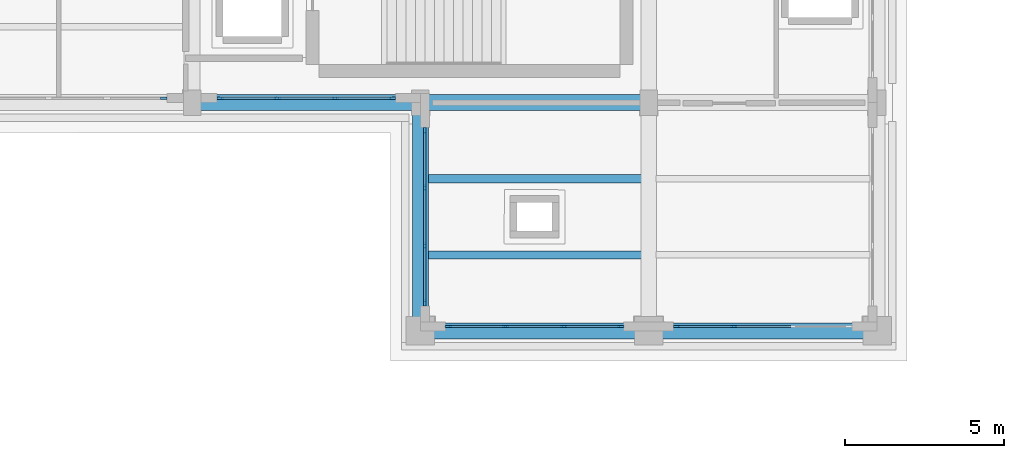
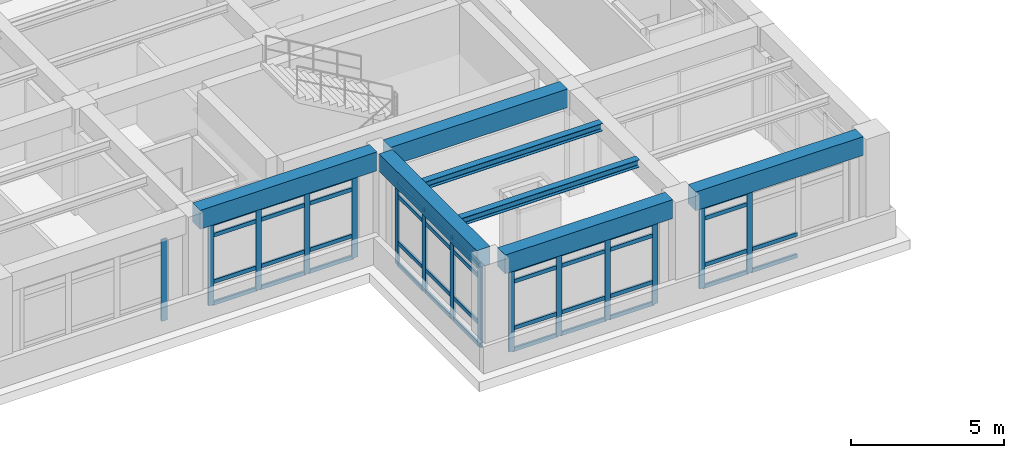
# One storey, part 31 of 69: 57 members, 7 beams, 5 elements without a shape of their own.
"""IFC4 building model written with IfcOpenShell, lengths in metres."""

from ifc_helpers import new_model, si_unit, direction, frame, origin, origin_2d, place, context, subcontext, project, spatial, rectangle, i_section, extrude, material, layer, layer_set, material_profile, profile_set, type_object, element, aggregate, save


model = new_model("IFC4")

# Units and contexts
model_context = context("Model", 3, precision=1e-05, world=origin(), true_north=direction((0.0, 1.0)))
body_context = subcontext(model_context, "Body", "Model", "MODEL_VIEW")
ifc_project = project(units=[si_unit("LENGTHUNIT", "METRE"), si_unit("AREAUNIT", "SQUARE_METRE"), si_unit("VOLUMEUNIT", "CUBIC_METRE"), si_unit("PLANEANGLEUNIT", "RADIAN"), si_unit("MASSUNIT", "GRAM", prefix="KILO")], contexts=[model_context])

# Site, building, storey
site_placement = place(None, origin())
site = spatial("IfcSite", under=ifc_project, at=site_placement, CompositionType="ELEMENT")
building_placement = place(site_placement, origin())
building = spatial("IfcBuilding", under=site, at=building_placement, Name="Solenvale Faculty of Natural Sciences", CompositionType="ELEMENT")
storey_placement = place(building_placement, frame((0.0, 0.0, 4.5)))
storey = spatial("IfcBuildingStorey", under=building, at=storey_placement, Name="L01", CompositionType="ELEMENT", Elevation=4.5)

# Beams
ifc_material_1 = material(Name="Concrete 40 MPa", Category="concrete")
ifc_material_profile_1 = material_profile(ifc_material_1, rectangle(XDim=0.5, YDim=0.699951171875, at=origin_2d()), Name="RC-BM-500x700")
ifc_profile_set_1 = profile_set([ifc_material_profile_1], Name="Concrete 40 MPa")
beam_type_1 = type_object("IfcBeamType", Name="BM-RC-500x700", PredefinedType="BEAM", material=ifc_profile_set_1)
beam_1_placement = place(storey_placement, frame((136.800048828125, 86.830078125, 3.8701171875), z_axis=(0.0, 1.0, 0.0), x_axis=(-1.0, 0.0, 0.0)))
element("IfcBeam", 1, at=beam_1_placement, inside=storey, type_object=beam_type_1, Name="L01 Y-Girder X136.8 (86.4..93.6)", PredefinedType="BEAM", context=body_context, shape_type="SweptSolid", body=[
    extrude(rectangle(XDim=0.5, YDim=0.699951171875, at=origin_2d()), origin(), (0.0, 0.0, 1.0), 6.389892578125),
])
ifc_material_profile_2 = material_profile(ifc_material_1, rectangle(XDim=0.5, YDim=0.75, at=origin_2d()), Name="RC-BM-500x750")
ifc_profile_set_2 = profile_set([ifc_material_profile_2], Name="Concrete 40 MPa")
beam_type_2 = type_object("IfcBeamType", Name="BM-RC-500x750", PredefinedType="BEAM", material=ifc_profile_set_2)
for number, where, z_axis, x_axis, name in (
    (2, (137.22998046875, 86.39990234375, 3.844970703125), (1.0, 0.0, 0.0), (0.0, 1.0, 0.0), "L01 X-Girder Y86.4 (136.8..144.0)"),
    (3, (144.429931640625, 86.39990234375, 3.844970703125), (1.0, 0.0, 0.0), (0.0, 1.0, 0.0), "L01 X-Girder Y86.4 (144.0..151.2)"),
):
    element("IfcBeam", number, at=place(storey_placement, frame(where, z_axis=z_axis, x_axis=x_axis)), inside=storey, type_object=beam_type_2, Name=name, PredefinedType="BEAM", context=body_context, shape_type="SweptSolid", body=[
        extrude(rectangle(XDim=0.5, YDim=0.75, at=origin_2d()), origin(), (0.0, 0.0, 1.0), 6.340087890625),
    ])
beam_2_placement = place(storey_placement, frame((129.85498046875, 93.60009765625, 3.844970703125), z_axis=(1.0, 0.0, 0.0), x_axis=(0.0, 1.0, 0.0)))
element("IfcBeam", 4, at=beam_2_placement, inside=storey, type_object=beam_type_2, Name="L01 X-Girder Y93.6 (129.6..136.8)", PredefinedType="BEAM", context=body_context, shape_type="SweptSolid", body=[
    extrude(rectangle(XDim=0.5, YDim=0.75, at=origin_2d()), origin(), (0.0, 0.0, 1.0), 6.68994140625),
])
beam_3_placement = place(storey_placement, frame((137.054931640625, 93.60009765625, 3.844970703125), z_axis=(1.0, 0.0, 0.0), x_axis=(0.0, 1.0, 0.0)))
element("IfcBeam", 5, at=beam_3_placement, inside=storey, type_object=beam_type_2, Name="L01 X-Girder Y93.6 (136.8..144.0)", PredefinedType="BEAM", context=body_context, shape_type="SweptSolid", body=[
    extrude(rectangle(XDim=0.5, YDim=0.75, at=origin_2d()), origin(), (0.0, 0.0, 1.0), 6.690185546875),
])
ifc_material_2 = material(Name="Steel S355", Category="steel")
ifc_material_profile_3 = material_profile(ifc_material_2, i_section(OverallWidth=0.25390625, OverallDepth=0.305908203125, WebThickness=0.0087890625, FlangeThickness=0.0146484375, FilletRadius=0.014892578125, at=origin_2d()), Name="W310x79")
ifc_profile_set_3 = profile_set([ifc_material_profile_3], Name="Steel S355")
beam_type_3 = type_object("IfcBeamType", Name="BM-STL-W310x79", PredefinedType="JOIST", material=ifc_profile_set_3)
for number, where, z_axis, x_axis, name in (
    (6, (137.030029296875, 88.800048828125, 4.06689453125), (1.0, 0.0, 0.0), (0.0, 1.0, 0.0), "L01 Composite Floor Joist (20,13).1"),
    (7, (137.030029296875, 91.199951171875, 4.06689453125), (1.0, 0.0, 0.0), (0.0, 1.0, 0.0), "L01 Composite Floor Joist (20,13).2"),
):
    element("IfcBeam", number, at=place(storey_placement, frame(where, z_axis=z_axis, x_axis=x_axis)), inside=storey, type_object=beam_type_3, Name=name, PredefinedType="JOIST", context=body_context, shape_type="SweptSolid", body=[
        extrude(i_section(OverallWidth=0.25390625, OverallDepth=0.305908203125, WebThickness=0.0087890625, FlangeThickness=0.0146484375, FilletRadius=0.014892578125, at=origin_2d()), origin(), (0.0, 0.0, 1.0), 6.739990234375),
    ])

# Curtain wall, members
ifc_material_3 = material(Name="Anodised bronze aluminium", Category="aluminium")
ifc_layer = layer(ifc_material_3, 0.179931640625)
ifc_layer_set = layer_set([ifc_layer], Name="Anodised bronze aluminium")
curtain_wall_type = type_object("IfcCurtainWallType", Name="CW-TWR-MOD", PredefinedType="USERDEFINED", material=ifc_layer_set)
curtain_wall_1_placement = place(storey_placement, origin())
curtain_wall_1 = element("IfcCurtainWall", 8, at=curtain_wall_1_placement, inside=storey, type_object=curtain_wall_type, Name="L01 Curtain Wall CW-L01-P2-E1-B1", ObjectType="UNITISED CURTAIN WALL", PredefinedType="USERDEFINED")
ifc_material_profile_4 = material_profile(ifc_material_3, rectangle(XDim=0.074951171875, YDim=0.2099609375, at=origin_2d()), Name="ALU-MUL-75x210")
ifc_profile_set_4 = profile_set([ifc_material_profile_4], Name="Anodised bronze aluminium")
member_type_1 = type_object("IfcMemberType", Name="CWM-ALU-75x210", PredefinedType="MULLION", material=ifc_profile_set_4)
member_1_placement = place(storey_placement, frame((137.6875, 86.54248046875, 0.0), z_axis=(0.0, 0.0, 1.0), x_axis=(0.0, 1.0, 0.0)))
member_1 = element("IfcMember", 9, at=member_1_placement, type_object=member_type_1, Name="CW-04 mullion 1", PredefinedType="MULLION", context=body_context, shape_type="SweptSolid", body=[
    extrude(rectangle(XDim=0.074951171875, YDim=0.2099609375, at=origin_2d()), origin(), (0.0, 0.0, 1.0), 3.260009765625),
])
member_2_placement = place(storey_placement, frame((139.4833984375, 86.54248046875, 0.0), z_axis=(0.0, 0.0, 1.0), x_axis=(0.0, 1.0, 0.0)))
member_2 = element("IfcMember", 10, at=member_2_placement, type_object=member_type_1, Name="CW-04 mullion 2", PredefinedType="MULLION", context=body_context, shape_type="SweptSolid", body=[
    extrude(rectangle(XDim=0.074951171875, YDim=0.2099609375, at=origin_2d()), origin(), (0.0, 0.0, 1.0), 3.260009765625),
])
member_3_placement = place(storey_placement, frame((141.316650390625, 86.54248046875, 0.0), z_axis=(0.0, 0.0, 1.0), x_axis=(0.0, 1.0, 0.0)))
member_3 = element("IfcMember", 11, at=member_3_placement, type_object=member_type_1, Name="CW-04 mullion 3", PredefinedType="MULLION", context=body_context, shape_type="SweptSolid", body=[
    extrude(rectangle(XDim=0.074951171875, YDim=0.2099609375, at=origin_2d()), origin(), (0.0, 0.0, 1.0), 3.260009765625),
])
member_4_placement = place(storey_placement, frame((143.112548828125, 86.54248046875, 0.0), z_axis=(0.0, 0.0, 1.0), x_axis=(0.0, 1.0, 0.0)))
member_4 = element("IfcMember", 12, at=member_4_placement, type_object=member_type_1, Name="CW-04 mullion 4", PredefinedType="MULLION", context=body_context, shape_type="SweptSolid", body=[
    extrude(rectangle(XDim=0.074951171875, YDim=0.2099609375, at=origin_2d()), origin(), (0.0, 0.0, 1.0), 3.260009765625),
])

curtain_wall_2_placement = place(storey_placement, origin())
curtain_wall_2 = element("IfcCurtainWall", 13, at=curtain_wall_2_placement, inside=storey, type_object=curtain_wall_type, Name="L01 Curtain Wall CW-L01-P2-E1-B2", ObjectType="UNITISED CURTAIN WALL", PredefinedType="USERDEFINED")
member_5_placement = place(storey_placement, frame((144.887451171875, 86.54248046875, 0.0), z_axis=(0.0, 0.0, 1.0), x_axis=(0.0, 1.0, 0.0)))
member_5 = element("IfcMember", 14, at=member_5_placement, type_object=member_type_1, Name="CW-04 mullion 1", PredefinedType="MULLION", context=body_context, shape_type="SweptSolid", body=[
    extrude(rectangle(XDim=0.074951171875, YDim=0.2099609375, at=origin_2d()), origin(), (0.0, 0.0, 1.0), 3.260009765625),
])
member_6_placement = place(storey_placement, frame((146.683349609375, 86.54248046875, 0.0), z_axis=(0.0, 0.0, 1.0), x_axis=(0.0, 1.0, 0.0)))
member_6 = element("IfcMember", 15, at=member_6_placement, type_object=member_type_1, Name="CW-04 mullion 2", PredefinedType="MULLION", context=body_context, shape_type="SweptSolid", body=[
    extrude(rectangle(XDim=0.074951171875, YDim=0.2099609375, at=origin_2d()), origin(), (0.0, 0.0, 1.0), 3.260009765625),
])

# Curtain wall, member
curtain_wall_3_placement = place(storey_placement, origin())
curtain_wall_3 = element("IfcCurtainWall", 16, at=curtain_wall_3_placement, inside=storey, type_object=curtain_wall_type, Name="L01 Curtain Wall CW-L01-P2-E6-B7", ObjectType="UNITISED CURTAIN WALL", PredefinedType="USERDEFINED")
member_7_placement = place(storey_placement, frame((128.71240234375, 93.742431640625, 0.0), z_axis=(0.0, 0.0, 1.0), x_axis=(0.0, 1.0, 0.0)))
member_7 = element("IfcMember", 17, at=member_7_placement, type_object=member_type_1, Name="CW-04 mullion 4", PredefinedType="MULLION", context=body_context, shape_type="SweptSolid", body=[
    extrude(rectangle(XDim=0.074951171875, YDim=0.2099609375, at=origin_2d()), origin(), (0.0, 0.0, 1.0), 3.260009765625),
])
aggregate(curtain_wall_3, [member_7])

# Curtain wall, members
curtain_wall_4_placement = place(storey_placement, origin())
curtain_wall_4 = element("IfcCurtainWall", 18, at=curtain_wall_4_placement, inside=storey, type_object=curtain_wall_type, Name="L01 Curtain Wall CW-L01-P2-E6-B8", ObjectType="UNITISED CURTAIN WALL", PredefinedType="USERDEFINED")
member_8_placement = place(storey_placement, frame((130.487548828125, 93.742431640625, 0.0), z_axis=(0.0, 0.0, 1.0), x_axis=(0.0, 1.0, 0.0)))
member_8 = element("IfcMember", 19, at=member_8_placement, type_object=member_type_1, Name="CW-04 mullion 1", PredefinedType="MULLION", context=body_context, shape_type="SweptSolid", body=[
    extrude(rectangle(XDim=0.074951171875, YDim=0.2099609375, at=origin_2d()), origin(), (0.0, 0.0, 1.0), 3.260009765625),
])
member_9_placement = place(storey_placement, frame((132.283447265625, 93.742431640625, 0.0), z_axis=(0.0, 0.0, 1.0), x_axis=(0.0, 1.0, 0.0)))
member_9 = element("IfcMember", 20, at=member_9_placement, type_object=member_type_1, Name="CW-04 mullion 2", PredefinedType="MULLION", context=body_context, shape_type="SweptSolid", body=[
    extrude(rectangle(XDim=0.074951171875, YDim=0.2099609375, at=origin_2d()), origin(), (0.0, 0.0, 1.0), 3.260009765625),
])
member_10_placement = place(storey_placement, frame((134.11669921875, 93.742431640625, 0.0), z_axis=(0.0, 0.0, 1.0), x_axis=(0.0, 1.0, 0.0)))
member_10 = element("IfcMember", 21, at=member_10_placement, type_object=member_type_1, Name="CW-04 mullion 3", PredefinedType="MULLION", context=body_context, shape_type="SweptSolid", body=[
    extrude(rectangle(XDim=0.074951171875, YDim=0.2099609375, at=origin_2d()), origin(), (0.0, 0.0, 1.0), 3.260009765625),
])
member_11_placement = place(storey_placement, frame((135.91259765625, 93.742431640625, 0.0), z_axis=(0.0, 0.0, 1.0), x_axis=(0.0, 1.0, 0.0)))
member_11 = element("IfcMember", 22, at=member_11_placement, type_object=member_type_1, Name="CW-04 mullion 4", PredefinedType="MULLION", context=body_context, shape_type="SweptSolid", body=[
    extrude(rectangle(XDim=0.074951171875, YDim=0.2099609375, at=origin_2d()), origin(), (0.0, 0.0, 1.0), 3.260009765625),
])

curtain_wall_5_placement = place(storey_placement, origin())
curtain_wall_5 = element("IfcCurtainWall", 23, at=curtain_wall_5_placement, inside=storey, type_object=curtain_wall_type, Name="L01 Curtain Wall CW-L01-P2-E7-B1", ObjectType="UNITISED CURTAIN WALL", PredefinedType="USERDEFINED")
member_12_placement = place(storey_placement, frame((136.9423828125, 92.71240234375, 0.0), z_axis=(0.0, 0.0, 1.0), x_axis=(1.0, 0.0, 0.0)))
member_12 = element("IfcMember", 24, at=member_12_placement, type_object=member_type_1, Name="CW-04 mullion 1", PredefinedType="MULLION", context=body_context, shape_type="SweptSolid", body=[
    extrude(rectangle(XDim=0.074951171875, YDim=0.2099609375, at=origin_2d()), origin(), (0.0, 0.0, 1.0), 3.260009765625),
])
member_13_placement = place(storey_placement, frame((136.9423828125, 90.916748046875, 0.0), z_axis=(0.0, 0.0, 1.0), x_axis=(1.0, 0.0, 0.0)))
member_13 = element("IfcMember", 25, at=member_13_placement, type_object=member_type_1, Name="CW-04 mullion 2", PredefinedType="MULLION", context=body_context, shape_type="SweptSolid", body=[
    extrude(rectangle(XDim=0.074951171875, YDim=0.2099609375, at=origin_2d()), origin(), (0.0, 0.0, 1.0), 3.260009765625),
])
member_14_placement = place(storey_placement, frame((136.9423828125, 89.083251953125, 0.0), z_axis=(0.0, 0.0, 1.0), x_axis=(1.0, 0.0, 0.0)))
member_14 = element("IfcMember", 26, at=member_14_placement, type_object=member_type_1, Name="CW-04 mullion 3", PredefinedType="MULLION", context=body_context, shape_type="SweptSolid", body=[
    extrude(rectangle(XDim=0.074951171875, YDim=0.2099609375, at=origin_2d()), origin(), (0.0, 0.0, 1.0), 3.260009765625),
])
member_15_placement = place(storey_placement, frame((136.9423828125, 87.28759765625, 0.0), z_axis=(0.0, 0.0, 1.0), x_axis=(1.0, 0.0, 0.0)))
member_15 = element("IfcMember", 27, at=member_15_placement, type_object=member_type_1, Name="CW-04 mullion 4", PredefinedType="MULLION", context=body_context, shape_type="SweptSolid", body=[
    extrude(rectangle(XDim=0.074951171875, YDim=0.2099609375, at=origin_2d()), origin(), (0.0, 0.0, 1.0), 3.260009765625),
])

# Member
ifc_material_profile_5 = material_profile(ifc_material_3, rectangle(XDim=0.074951171875, YDim=0.155029296875, at=origin_2d()), Name="ALU-TRN-75x155")
ifc_profile_set_5 = profile_set([ifc_material_profile_5], Name="Anodised bronze aluminium")
member_type_2 = type_object("IfcMemberType", Name="CWT-ALU-75x155", PredefinedType="USERDEFINED", material=ifc_profile_set_5)
member_16_placement = place(storey_placement, frame((137.72509765625, 86.54248046875, 0.03759765625), z_axis=(1.0, 0.0, 0.0), x_axis=(0.0, 1.0, 0.0)))
member_16 = element("IfcMember", 28, at=member_16_placement, type_object=member_type_2, Name="CW-04 transom 1.1", ObjectType="TRANSOM", PredefinedType="USERDEFINED", context=body_context, shape_type="SweptSolid", body=[
    extrude(rectangle(XDim=0.074951171875, YDim=0.155029296875, at=origin_2d()), origin(), (0.0, 0.0, 1.0), 1.720703125),
])

member_17_placement = place(storey_placement, frame((137.72509765625, 86.54248046875, 0.89990234375), z_axis=(1.0, 0.0, 0.0), x_axis=(0.0, 1.0, 0.0)))
member_17 = element("IfcMember", 29, at=member_17_placement, type_object=member_type_2, Name="CW-04 transom 1.2", ObjectType="TRANSOM", PredefinedType="USERDEFINED", context=body_context, shape_type="SweptSolid", body=[
    extrude(rectangle(XDim=0.074951171875, YDim=0.155029296875, at=origin_2d()), origin(), (0.0, 0.0, 1.0), 1.720703125),
])

member_18_placement = place(storey_placement, frame((137.72509765625, 86.54248046875, 2.760009765625), z_axis=(1.0, 0.0, 0.0), x_axis=(0.0, 1.0, 0.0)))
member_18 = element("IfcMember", 30, at=member_18_placement, type_object=member_type_2, Name="CW-04 transom 1.3", ObjectType="TRANSOM", PredefinedType="USERDEFINED", context=body_context, shape_type="SweptSolid", body=[
    extrude(rectangle(XDim=0.074951171875, YDim=0.155029296875, at=origin_2d()), origin(), (0.0, 0.0, 1.0), 1.720703125),
])

member_19_placement = place(storey_placement, frame((137.72509765625, 86.54248046875, 3.222412109375), z_axis=(1.0, 0.0, 0.0), x_axis=(0.0, 1.0, 0.0)))
member_19 = element("IfcMember", 31, at=member_19_placement, type_object=member_type_2, Name="CW-04 transom 1.4", ObjectType="TRANSOM", PredefinedType="USERDEFINED", context=body_context, shape_type="SweptSolid", body=[
    extrude(rectangle(XDim=0.074951171875, YDim=0.155029296875, at=origin_2d()), origin(), (0.0, 0.0, 1.0), 1.720703125),
])

member_20_placement = place(storey_placement, frame((139.520751953125, 86.54248046875, 0.03759765625), z_axis=(1.0, 0.0, 0.0), x_axis=(0.0, 1.0, 0.0)))
member_20 = element("IfcMember", 32, at=member_20_placement, type_object=member_type_2, Name="CW-04 transom 2.1", ObjectType="TRANSOM", PredefinedType="USERDEFINED", context=body_context, shape_type="SweptSolid", body=[
    extrude(rectangle(XDim=0.074951171875, YDim=0.155029296875, at=origin_2d()), origin(), (0.0, 0.0, 1.0), 1.75830078125),
])

member_21_placement = place(storey_placement, frame((139.520751953125, 86.54248046875, 0.89990234375), z_axis=(1.0, 0.0, 0.0), x_axis=(0.0, 1.0, 0.0)))
member_21 = element("IfcMember", 33, at=member_21_placement, type_object=member_type_2, Name="CW-04 transom 2.2", ObjectType="TRANSOM", PredefinedType="USERDEFINED", context=body_context, shape_type="SweptSolid", body=[
    extrude(rectangle(XDim=0.074951171875, YDim=0.155029296875, at=origin_2d()), origin(), (0.0, 0.0, 1.0), 1.75830078125),
])

member_22_placement = place(storey_placement, frame((139.520751953125, 86.54248046875, 2.760009765625), z_axis=(1.0, 0.0, 0.0), x_axis=(0.0, 1.0, 0.0)))
member_22 = element("IfcMember", 34, at=member_22_placement, type_object=member_type_2, Name="CW-04 transom 2.3", ObjectType="TRANSOM", PredefinedType="USERDEFINED", context=body_context, shape_type="SweptSolid", body=[
    extrude(rectangle(XDim=0.074951171875, YDim=0.155029296875, at=origin_2d()), origin(), (0.0, 0.0, 1.0), 1.75830078125),
])

member_23_placement = place(storey_placement, frame((139.520751953125, 86.54248046875, 3.222412109375), z_axis=(1.0, 0.0, 0.0), x_axis=(0.0, 1.0, 0.0)))
member_23 = element("IfcMember", 35, at=member_23_placement, type_object=member_type_2, Name="CW-04 transom 2.4", ObjectType="TRANSOM", PredefinedType="USERDEFINED", context=body_context, shape_type="SweptSolid", body=[
    extrude(rectangle(XDim=0.074951171875, YDim=0.155029296875, at=origin_2d()), origin(), (0.0, 0.0, 1.0), 1.75830078125),
])

member_24_placement = place(storey_placement, frame((141.354248046875, 86.54248046875, 0.03759765625), z_axis=(1.0, 0.0, 0.0), x_axis=(0.0, 1.0, 0.0)))
member_24 = element("IfcMember", 36, at=member_24_placement, type_object=member_type_2, Name="CW-04 transom 3.1", ObjectType="TRANSOM", PredefinedType="USERDEFINED", context=body_context, shape_type="SweptSolid", body=[
    extrude(rectangle(XDim=0.074951171875, YDim=0.155029296875, at=origin_2d()), origin(), (0.0, 0.0, 1.0), 1.720703125),
])

member_25_placement = place(storey_placement, frame((141.354248046875, 86.54248046875, 0.89990234375), z_axis=(1.0, 0.0, 0.0), x_axis=(0.0, 1.0, 0.0)))
member_25 = element("IfcMember", 37, at=member_25_placement, type_object=member_type_2, Name="CW-04 transom 3.2", ObjectType="TRANSOM", PredefinedType="USERDEFINED", context=body_context, shape_type="SweptSolid", body=[
    extrude(rectangle(XDim=0.074951171875, YDim=0.155029296875, at=origin_2d()), origin(), (0.0, 0.0, 1.0), 1.720703125),
])

member_26_placement = place(storey_placement, frame((141.354248046875, 86.54248046875, 2.760009765625), z_axis=(1.0, 0.0, 0.0), x_axis=(0.0, 1.0, 0.0)))
member_26 = element("IfcMember", 38, at=member_26_placement, type_object=member_type_2, Name="CW-04 transom 3.3", ObjectType="TRANSOM", PredefinedType="USERDEFINED", context=body_context, shape_type="SweptSolid", body=[
    extrude(rectangle(XDim=0.074951171875, YDim=0.155029296875, at=origin_2d()), origin(), (0.0, 0.0, 1.0), 1.720703125),
])

member_27_placement = place(storey_placement, frame((141.354248046875, 86.54248046875, 3.222412109375), z_axis=(1.0, 0.0, 0.0), x_axis=(0.0, 1.0, 0.0)))
member_27 = element("IfcMember", 39, at=member_27_placement, type_object=member_type_2, Name="CW-04 transom 3.4", ObjectType="TRANSOM", PredefinedType="USERDEFINED", context=body_context, shape_type="SweptSolid", body=[
    extrude(rectangle(XDim=0.074951171875, YDim=0.155029296875, at=origin_2d()), origin(), (0.0, 0.0, 1.0), 1.720703125),
])

aggregate(curtain_wall_1, [member_1, member_2, member_3, member_4, member_16, member_17, member_18, member_19, member_20, member_21, member_22, member_23, member_24, member_25, member_26, member_27])

member_28_placement = place(storey_placement, frame((144.925048828125, 86.54248046875, 0.03759765625), z_axis=(1.0, 0.0, 0.0), x_axis=(0.0, 1.0, 0.0)))
member_28 = element("IfcMember", 40, at=member_28_placement, type_object=member_type_2, Name="CW-04 transom 1.1", ObjectType="TRANSOM", PredefinedType="USERDEFINED", context=body_context, shape_type="SweptSolid", body=[
    extrude(rectangle(XDim=0.074951171875, YDim=0.155029296875, at=origin_2d()), origin(), (0.0, 0.0, 1.0), 1.720703125),
])

member_29_placement = place(storey_placement, frame((144.925048828125, 86.54248046875, 0.89990234375), z_axis=(1.0, 0.0, 0.0), x_axis=(0.0, 1.0, 0.0)))
member_29 = element("IfcMember", 41, at=member_29_placement, type_object=member_type_2, Name="CW-04 transom 1.2", ObjectType="TRANSOM", PredefinedType="USERDEFINED", context=body_context, shape_type="SweptSolid", body=[
    extrude(rectangle(XDim=0.074951171875, YDim=0.155029296875, at=origin_2d()), origin(), (0.0, 0.0, 1.0), 1.720703125),
])

member_30_placement = place(storey_placement, frame((144.925048828125, 86.54248046875, 2.760009765625), z_axis=(1.0, 0.0, 0.0), x_axis=(0.0, 1.0, 0.0)))
member_30 = element("IfcMember", 42, at=member_30_placement, type_object=member_type_2, Name="CW-04 transom 1.3", ObjectType="TRANSOM", PredefinedType="USERDEFINED", context=body_context, shape_type="SweptSolid", body=[
    extrude(rectangle(XDim=0.074951171875, YDim=0.155029296875, at=origin_2d()), origin(), (0.0, 0.0, 1.0), 1.720703125),
])

member_31_placement = place(storey_placement, frame((144.925048828125, 86.54248046875, 3.222412109375), z_axis=(1.0, 0.0, 0.0), x_axis=(0.0, 1.0, 0.0)))
member_31 = element("IfcMember", 43, at=member_31_placement, type_object=member_type_2, Name="CW-04 transom 1.4", ObjectType="TRANSOM", PredefinedType="USERDEFINED", context=body_context, shape_type="SweptSolid", body=[
    extrude(rectangle(XDim=0.074951171875, YDim=0.155029296875, at=origin_2d()), origin(), (0.0, 0.0, 1.0), 1.720703125),
])

member_32_placement = place(storey_placement, frame((146.720947265625, 86.54248046875, 0.03759765625), z_axis=(1.0, 0.0, 0.0), x_axis=(0.0, 1.0, 0.0)))
member_32 = element("IfcMember", 44, at=member_32_placement, type_object=member_type_2, Name="CW-04 transom 2.1", ObjectType="TRANSOM", PredefinedType="USERDEFINED", context=body_context, shape_type="SweptSolid", body=[
    extrude(rectangle(XDim=0.074951171875, YDim=0.155029296875, at=origin_2d()), origin(), (0.0, 0.0, 1.0), 1.75830078125),
])

member_33_placement = place(storey_placement, frame((146.720947265625, 86.54248046875, 0.89990234375), z_axis=(1.0, 0.0, 0.0), x_axis=(0.0, 1.0, 0.0)))
member_33 = element("IfcMember", 45, at=member_33_placement, type_object=member_type_2, Name="CW-04 transom 2.2", ObjectType="TRANSOM", PredefinedType="USERDEFINED", context=body_context, shape_type="SweptSolid", body=[
    extrude(rectangle(XDim=0.074951171875, YDim=0.155029296875, at=origin_2d()), origin(), (0.0, 0.0, 1.0), 1.75830078125),
])

aggregate(curtain_wall_2, [member_5, member_6, member_28, member_29, member_30, member_31, member_32, member_33])

member_34_placement = place(storey_placement, frame((130.52490234375, 93.742431640625, 0.03759765625), z_axis=(1.0, 0.0, 0.0), x_axis=(0.0, 1.0, 0.0)))
member_34 = element("IfcMember", 46, at=member_34_placement, type_object=member_type_2, Name="CW-04 transom 1.1", ObjectType="TRANSOM", PredefinedType="USERDEFINED", context=body_context, shape_type="SweptSolid", body=[
    extrude(rectangle(XDim=0.074951171875, YDim=0.155029296875, at=origin_2d()), origin(), (0.0, 0.0, 1.0), 1.720947265625),
])

member_35_placement = place(storey_placement, frame((130.52490234375, 93.742431640625, 0.89990234375), z_axis=(1.0, 0.0, 0.0), x_axis=(0.0, 1.0, 0.0)))
member_35 = element("IfcMember", 47, at=member_35_placement, type_object=member_type_2, Name="CW-04 transom 1.2", ObjectType="TRANSOM", PredefinedType="USERDEFINED", context=body_context, shape_type="SweptSolid", body=[
    extrude(rectangle(XDim=0.074951171875, YDim=0.155029296875, at=origin_2d()), origin(), (0.0, 0.0, 1.0), 1.720947265625),
])

member_36_placement = place(storey_placement, frame((130.52490234375, 93.742431640625, 2.760009765625), z_axis=(1.0, 0.0, 0.0), x_axis=(0.0, 1.0, 0.0)))
member_36 = element("IfcMember", 48, at=member_36_placement, type_object=member_type_2, Name="CW-04 transom 1.3", ObjectType="TRANSOM", PredefinedType="USERDEFINED", context=body_context, shape_type="SweptSolid", body=[
    extrude(rectangle(XDim=0.074951171875, YDim=0.155029296875, at=origin_2d()), origin(), (0.0, 0.0, 1.0), 1.720947265625),
])

member_37_placement = place(storey_placement, frame((130.52490234375, 93.742431640625, 3.222412109375), z_axis=(1.0, 0.0, 0.0), x_axis=(0.0, 1.0, 0.0)))
member_37 = element("IfcMember", 49, at=member_37_placement, type_object=member_type_2, Name="CW-04 transom 1.4", ObjectType="TRANSOM", PredefinedType="USERDEFINED", context=body_context, shape_type="SweptSolid", body=[
    extrude(rectangle(XDim=0.074951171875, YDim=0.155029296875, at=origin_2d()), origin(), (0.0, 0.0, 1.0), 1.720947265625),
])

member_38_placement = place(storey_placement, frame((132.32080078125, 93.742431640625, 0.03759765625), z_axis=(1.0, 0.0, 0.0), x_axis=(0.0, 1.0, 0.0)))
member_38 = element("IfcMember", 50, at=member_38_placement, type_object=member_type_2, Name="CW-04 transom 2.1", ObjectType="TRANSOM", PredefinedType="USERDEFINED", context=body_context, shape_type="SweptSolid", body=[
    extrude(rectangle(XDim=0.074951171875, YDim=0.155029296875, at=origin_2d()), origin(), (0.0, 0.0, 1.0), 1.75830078125),
])

member_39_placement = place(storey_placement, frame((132.32080078125, 93.742431640625, 0.89990234375), z_axis=(1.0, 0.0, 0.0), x_axis=(0.0, 1.0, 0.0)))
member_39 = element("IfcMember", 51, at=member_39_placement, type_object=member_type_2, Name="CW-04 transom 2.2", ObjectType="TRANSOM", PredefinedType="USERDEFINED", context=body_context, shape_type="SweptSolid", body=[
    extrude(rectangle(XDim=0.074951171875, YDim=0.155029296875, at=origin_2d()), origin(), (0.0, 0.0, 1.0), 1.75830078125),
])

member_40_placement = place(storey_placement, frame((132.32080078125, 93.742431640625, 2.760009765625), z_axis=(1.0, 0.0, 0.0), x_axis=(0.0, 1.0, 0.0)))
member_40 = element("IfcMember", 52, at=member_40_placement, type_object=member_type_2, Name="CW-04 transom 2.3", ObjectType="TRANSOM", PredefinedType="USERDEFINED", context=body_context, shape_type="SweptSolid", body=[
    extrude(rectangle(XDim=0.074951171875, YDim=0.155029296875, at=origin_2d()), origin(), (0.0, 0.0, 1.0), 1.75830078125),
])

member_41_placement = place(storey_placement, frame((132.32080078125, 93.742431640625, 3.222412109375), z_axis=(1.0, 0.0, 0.0), x_axis=(0.0, 1.0, 0.0)))
member_41 = element("IfcMember", 53, at=member_41_placement, type_object=member_type_2, Name="CW-04 transom 2.4", ObjectType="TRANSOM", PredefinedType="USERDEFINED", context=body_context, shape_type="SweptSolid", body=[
    extrude(rectangle(XDim=0.074951171875, YDim=0.155029296875, at=origin_2d()), origin(), (0.0, 0.0, 1.0), 1.75830078125),
])

member_42_placement = place(storey_placement, frame((134.154052734375, 93.742431640625, 0.03759765625), z_axis=(1.0, 0.0, 0.0), x_axis=(0.0, 1.0, 0.0)))
member_42 = element("IfcMember", 54, at=member_42_placement, type_object=member_type_2, Name="CW-04 transom 3.1", ObjectType="TRANSOM", PredefinedType="USERDEFINED", context=body_context, shape_type="SweptSolid", body=[
    extrude(rectangle(XDim=0.074951171875, YDim=0.155029296875, at=origin_2d()), origin(), (0.0, 0.0, 1.0), 1.720947265625),
])

member_43_placement = place(storey_placement, frame((134.154052734375, 93.742431640625, 0.89990234375), z_axis=(1.0, 0.0, 0.0), x_axis=(0.0, 1.0, 0.0)))
member_43 = element("IfcMember", 55, at=member_43_placement, type_object=member_type_2, Name="CW-04 transom 3.2", ObjectType="TRANSOM", PredefinedType="USERDEFINED", context=body_context, shape_type="SweptSolid", body=[
    extrude(rectangle(XDim=0.074951171875, YDim=0.155029296875, at=origin_2d()), origin(), (0.0, 0.0, 1.0), 1.720947265625),
])

member_44_placement = place(storey_placement, frame((134.154052734375, 93.742431640625, 2.760009765625), z_axis=(1.0, 0.0, 0.0), x_axis=(0.0, 1.0, 0.0)))
member_44 = element("IfcMember", 56, at=member_44_placement, type_object=member_type_2, Name="CW-04 transom 3.3", ObjectType="TRANSOM", PredefinedType="USERDEFINED", context=body_context, shape_type="SweptSolid", body=[
    extrude(rectangle(XDim=0.074951171875, YDim=0.155029296875, at=origin_2d()), origin(), (0.0, 0.0, 1.0), 1.720947265625),
])

member_45_placement = place(storey_placement, frame((134.154052734375, 93.742431640625, 3.222412109375), z_axis=(1.0, 0.0, 0.0), x_axis=(0.0, 1.0, 0.0)))
member_45 = element("IfcMember", 57, at=member_45_placement, type_object=member_type_2, Name="CW-04 transom 3.4", ObjectType="TRANSOM", PredefinedType="USERDEFINED", context=body_context, shape_type="SweptSolid", body=[
    extrude(rectangle(XDim=0.074951171875, YDim=0.155029296875, at=origin_2d()), origin(), (0.0, 0.0, 1.0), 1.720947265625),
])

aggregate(curtain_wall_4, [member_8, member_9, member_10, member_11, member_34, member_35, member_36, member_37, member_38, member_39, member_40, member_41, member_42, member_43, member_44, member_45])

member_46_placement = place(storey_placement, frame((136.9423828125, 92.675048828125, 0.03759765625), z_axis=(0.0, -1.0, 0.0), x_axis=(1.0, 0.0, 0.0)))
member_46 = element("IfcMember", 58, at=member_46_placement, type_object=member_type_2, Name="CW-04 transom 1.1", ObjectType="TRANSOM", PredefinedType="USERDEFINED", context=body_context, shape_type="SweptSolid", body=[
    extrude(rectangle(XDim=0.074951171875, YDim=0.155029296875, at=origin_2d()), origin(), (0.0, 0.0, 1.0), 1.720947265625),
])

member_47_placement = place(storey_placement, frame((136.9423828125, 92.675048828125, 0.89990234375), z_axis=(0.0, -1.0, 0.0), x_axis=(1.0, 0.0, 0.0)))
member_47 = element("IfcMember", 59, at=member_47_placement, type_object=member_type_2, Name="CW-04 transom 1.2", ObjectType="TRANSOM", PredefinedType="USERDEFINED", context=body_context, shape_type="SweptSolid", body=[
    extrude(rectangle(XDim=0.074951171875, YDim=0.155029296875, at=origin_2d()), origin(), (0.0, 0.0, 1.0), 1.720947265625),
])

member_48_placement = place(storey_placement, frame((136.9423828125, 92.675048828125, 2.760009765625), z_axis=(0.0, -1.0, 0.0), x_axis=(1.0, 0.0, 0.0)))
member_48 = element("IfcMember", 60, at=member_48_placement, type_object=member_type_2, Name="CW-04 transom 1.3", ObjectType="TRANSOM", PredefinedType="USERDEFINED", context=body_context, shape_type="SweptSolid", body=[
    extrude(rectangle(XDim=0.074951171875, YDim=0.155029296875, at=origin_2d()), origin(), (0.0, 0.0, 1.0), 1.720947265625),
])

member_49_placement = place(storey_placement, frame((136.9423828125, 92.675048828125, 3.222412109375), z_axis=(0.0, -1.0, 0.0), x_axis=(1.0, 0.0, 0.0)))
member_49 = element("IfcMember", 61, at=member_49_placement, type_object=member_type_2, Name="CW-04 transom 1.4", ObjectType="TRANSOM", PredefinedType="USERDEFINED", context=body_context, shape_type="SweptSolid", body=[
    extrude(rectangle(XDim=0.074951171875, YDim=0.155029296875, at=origin_2d()), origin(), (0.0, 0.0, 1.0), 1.720947265625),
])

member_50_placement = place(storey_placement, frame((136.9423828125, 90.879150390625, 0.03759765625), z_axis=(0.0, -1.0, 0.0), x_axis=(1.0, 0.0, 0.0)))
member_50 = element("IfcMember", 62, at=member_50_placement, type_object=member_type_2, Name="CW-04 transom 2.1", ObjectType="TRANSOM", PredefinedType="USERDEFINED", context=body_context, shape_type="SweptSolid", body=[
    extrude(rectangle(XDim=0.074951171875, YDim=0.155029296875, at=origin_2d()), origin(), (0.0, 0.0, 1.0), 1.75830078125),
])

member_51_placement = place(storey_placement, frame((136.9423828125, 90.879150390625, 0.89990234375), z_axis=(0.0, -1.0, 0.0), x_axis=(1.0, 0.0, 0.0)))
member_51 = element("IfcMember", 63, at=member_51_placement, type_object=member_type_2, Name="CW-04 transom 2.2", ObjectType="TRANSOM", PredefinedType="USERDEFINED", context=body_context, shape_type="SweptSolid", body=[
    extrude(rectangle(XDim=0.074951171875, YDim=0.155029296875, at=origin_2d()), origin(), (0.0, 0.0, 1.0), 1.75830078125),
])

member_52_placement = place(storey_placement, frame((136.9423828125, 90.879150390625, 2.760009765625), z_axis=(0.0, -1.0, 0.0), x_axis=(1.0, 0.0, 0.0)))
member_52 = element("IfcMember", 64, at=member_52_placement, type_object=member_type_2, Name="CW-04 transom 2.3", ObjectType="TRANSOM", PredefinedType="USERDEFINED", context=body_context, shape_type="SweptSolid", body=[
    extrude(rectangle(XDim=0.074951171875, YDim=0.155029296875, at=origin_2d()), origin(), (0.0, 0.0, 1.0), 1.75830078125),
])

member_53_placement = place(storey_placement, frame((136.9423828125, 90.879150390625, 3.222412109375), z_axis=(0.0, -1.0, 0.0), x_axis=(1.0, 0.0, 0.0)))
member_53 = element("IfcMember", 65, at=member_53_placement, type_object=member_type_2, Name="CW-04 transom 2.4", ObjectType="TRANSOM", PredefinedType="USERDEFINED", context=body_context, shape_type="SweptSolid", body=[
    extrude(rectangle(XDim=0.074951171875, YDim=0.155029296875, at=origin_2d()), origin(), (0.0, 0.0, 1.0), 1.75830078125),
])

member_54_placement = place(storey_placement, frame((136.9423828125, 89.0458984375, 0.03759765625), z_axis=(0.0, -1.0, 0.0), x_axis=(1.0, 0.0, 0.0)))
member_54 = element("IfcMember", 66, at=member_54_placement, type_object=member_type_2, Name="CW-04 transom 3.1", ObjectType="TRANSOM", PredefinedType="USERDEFINED", context=body_context, shape_type="SweptSolid", body=[
    extrude(rectangle(XDim=0.074951171875, YDim=0.155029296875, at=origin_2d()), origin(), (0.0, 0.0, 1.0), 1.720947265625),
])

member_55_placement = place(storey_placement, frame((136.9423828125, 89.0458984375, 0.89990234375), z_axis=(0.0, -1.0, 0.0), x_axis=(1.0, 0.0, 0.0)))
member_55 = element("IfcMember", 67, at=member_55_placement, type_object=member_type_2, Name="CW-04 transom 3.2", ObjectType="TRANSOM", PredefinedType="USERDEFINED", context=body_context, shape_type="SweptSolid", body=[
    extrude(rectangle(XDim=0.074951171875, YDim=0.155029296875, at=origin_2d()), origin(), (0.0, 0.0, 1.0), 1.720947265625),
])

member_56_placement = place(storey_placement, frame((136.9423828125, 89.0458984375, 2.760009765625), z_axis=(0.0, -1.0, 0.0), x_axis=(1.0, 0.0, 0.0)))
member_56 = element("IfcMember", 68, at=member_56_placement, type_object=member_type_2, Name="CW-04 transom 3.3", ObjectType="TRANSOM", PredefinedType="USERDEFINED", context=body_context, shape_type="SweptSolid", body=[
    extrude(rectangle(XDim=0.074951171875, YDim=0.155029296875, at=origin_2d()), origin(), (0.0, 0.0, 1.0), 1.720947265625),
])

member_57_placement = place(storey_placement, frame((136.9423828125, 89.0458984375, 3.222412109375), z_axis=(0.0, -1.0, 0.0), x_axis=(1.0, 0.0, 0.0)))
member_57 = element("IfcMember", 69, at=member_57_placement, type_object=member_type_2, Name="CW-04 transom 3.4", ObjectType="TRANSOM", PredefinedType="USERDEFINED", context=body_context, shape_type="SweptSolid", body=[
    extrude(rectangle(XDim=0.074951171875, YDim=0.155029296875, at=origin_2d()), origin(), (0.0, 0.0, 1.0), 1.720947265625),
])

aggregate(curtain_wall_5, [member_12, member_13, member_14, member_15, member_46, member_47, member_48, member_49, member_50, member_51, member_52, member_53, member_54, member_55, member_56, member_57])

save(model, "model.ifc")
